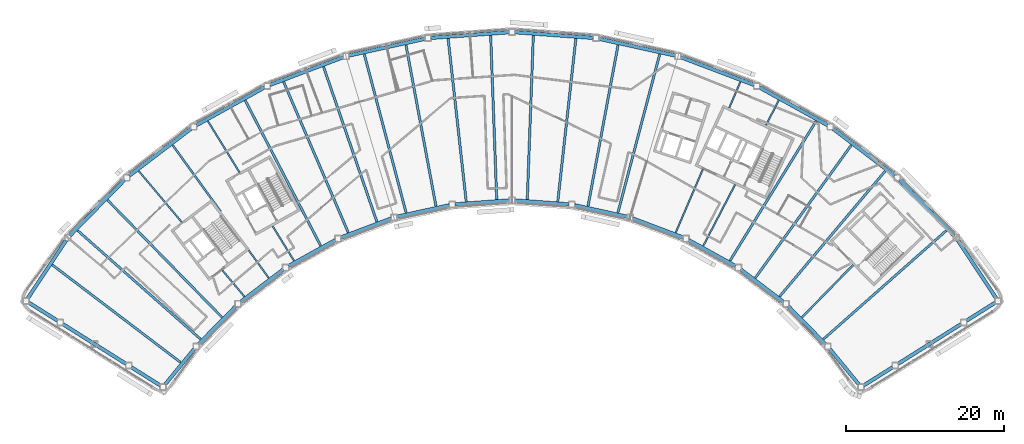
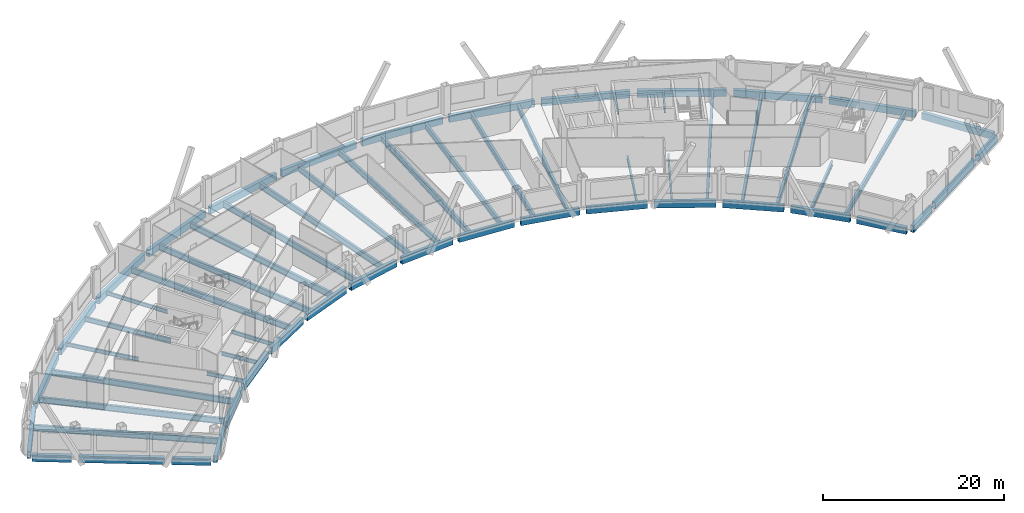
# One storey, part 3 of 12: 63 beams.
"""IFC4 building model written with IfcOpenShell, lengths in metres."""

from ifc_helpers import new_model, si_unit, direction, frame, origin, origin_2d, place, context, subcontext, project, spatial, hollow_rectangle, i_section, extrude, material, material_profile, profile_set, type_object, element, save


model = new_model("IFC4")

# Units and contexts
model_context = context("Model", 3, precision=1e-05, world=origin(), true_north=direction((0.0, 1.0)))
body_context = subcontext(model_context, "Body", "Model", "MODEL_VIEW")
ifc_project = project(units=[si_unit("LENGTHUNIT", "METRE"), si_unit("AREAUNIT", "SQUARE_METRE"), si_unit("VOLUMEUNIT", "CUBIC_METRE"), si_unit("PLANEANGLEUNIT", "RADIAN"), si_unit("MASSUNIT", "GRAM", prefix="KILO")], contexts=[model_context])

# Site, building, storey
site_placement = place(None, origin())
site = spatial("IfcSite", under=ifc_project, at=site_placement, CompositionType="ELEMENT")
building_placement = place(site_placement, origin())
building = spatial("IfcBuilding", under=site, at=building_placement, Name="Tuul Gate Civic Tower", CompositionType="ELEMENT")
storey_placement = place(building_placement, frame((0.0, 0.0, 328.10009765625)))
storey = spatial("IfcBuildingStorey", under=building, at=storey_placement, Name="Level 74", CompositionType="ELEMENT", Elevation=328.10009765625)

# Beams
ifc_material_1 = material(Name="Steel S355", Category="steel")
ifc_material_profile_1 = material_profile(ifc_material_1, i_section(OverallWidth=0.199951171875, OverallDepth=0.5, WebThickness=0.010009765625, FlangeThickness=0.01611328125, at=origin_2d()), Name="PG500x200x10x16")
ifc_profile_set_1 = profile_set([ifc_material_profile_1], Name="Steel S355")
beam_type_1 = type_object("IfcBeamType", Name="STR-FLOOR BEAM-PG500x200x10x16", PredefinedType="BEAM", material=ifc_profile_set_1)
beam_1_placement = place(storey_placement, frame((26.463134765625, -13.32080078125, -0.550048828125), z_axis=(0.460782795667, 0.887512938056, 0.0), x_axis=(-0.887512938056, 0.460782795667, 0.0)))
element("IfcBeam", 1, at=beam_1_placement, inside=storey, type_object=beam_type_1, Name="Floor beam", PredefinedType="BEAM", context=body_context, shape_type="SweptSolid", body=[
    extrude(i_section(OverallWidth=0.199951171875, OverallDepth=0.5, WebThickness=0.010009765625, FlangeThickness=0.01611328125, at=origin_2d()), origin(), (0.0, 0.0, 1.0), 8.768310546875),
])
beam_2_placement = place(storey_placement, frame((34.423583984375, 2.01220703125, -0.550048828125), z_axis=(0.460793282306, 0.887507493479, 0.0), x_axis=(-0.887507493479, 0.460793282306, 0.0)))
element("IfcBeam", 2, at=beam_2_placement, inside=storey, type_object=beam_type_1, Name="Floor beam", PredefinedType="BEAM", context=body_context, shape_type="SweptSolid", body=[
    extrude(i_section(OverallWidth=0.199951171875, OverallDepth=0.5, WebThickness=0.010009765625, FlangeThickness=0.01611328125, at=origin_2d()), origin(), (0.0, 0.0, 1.0), 3.53173828125),
])
beam_3_placement = place(storey_placement, frame((22.968505859375, -11.633056640625, -0.550048828125), z_axis=(0.394179708817, 0.91903338196, 0.0), x_axis=(-0.91903338196, 0.394179708817, 0.0)))
element("IfcBeam", 3, at=beam_3_placement, inside=storey, type_object=beam_type_1, Name="Floor beam", PredefinedType="BEAM", context=body_context, shape_type="SweptSolid", body=[
    extrude(i_section(OverallWidth=0.199951171875, OverallDepth=0.5, WebThickness=0.010009765625, FlangeThickness=0.01611328125, at=origin_2d()), origin(), (0.0, 0.0, 1.0), 8.7119140625),
])
beam_4_placement = place(storey_placement, frame((29.7548828125, 4.189208984375, -0.550048828125), z_axis=(0.394262656624, 0.918997800646, 0.0), x_axis=(-0.918997800646, 0.394262656624, 0.0)))
element("IfcBeam", 4, at=beam_4_placement, inside=storey, type_object=beam_type_1, Name="Floor beam", PredefinedType="BEAM", context=body_context, shape_type="SweptSolid", body=[
    extrude(i_section(OverallWidth=0.199951171875, OverallDepth=0.5, WebThickness=0.010009765625, FlangeThickness=0.01611328125, at=origin_2d()), origin(), (0.0, 0.0, 1.0), 3.60400390625),
])
beam_5_placement = place(storey_placement, frame((-25.47412109375, -15.2021484375, -0.550048828125), z_axis=(-0.524854989159, 0.851191659002, 0.0), x_axis=(-0.851191659002, -0.524854989159, 0.0)))
element("IfcBeam", 5, at=beam_5_placement, inside=storey, type_object=beam_type_1, Name="Floor beam", PredefinedType="BEAM", context=body_context, shape_type="SweptSolid", body=[
    extrude(i_section(OverallWidth=0.199951171875, OverallDepth=0.5, WebThickness=0.010009765625, FlangeThickness=0.01611328125, at=origin_2d()), origin(), (0.0, 0.0, 1.0), 5.1591796875),
])
beam_6_placement = place(storey_placement, frame((-32.385009765625, -3.993896484375, -0.550048828125), z_axis=(-0.524857120658, 0.851190344691, 0.0), x_axis=(-0.851190344691, -0.524857120658, 0.0)))
element("IfcBeam", 6, at=beam_6_placement, inside=storey, type_object=beam_type_1, Name="Floor beam", PredefinedType="BEAM", context=body_context, shape_type="SweptSolid", body=[
    extrude(i_section(OverallWidth=0.199951171875, OverallDepth=0.5, WebThickness=0.010009765625, FlangeThickness=0.01611328125, at=origin_2d()), origin(), (0.0, 0.0, 1.0), 7.654052734375),
])
beam_7_placement = place(storey_placement, frame((-28.677734375, -17.393310546875, -0.550048828125), z_axis=(-0.586074177431, 0.81025740265, 0.0), x_axis=(-0.81025740265, -0.586074177431, 0.0)))
element("IfcBeam", 7, at=beam_7_placement, inside=storey, type_object=beam_type_1, Name="Floor beam", PredefinedType="BEAM", context=body_context, shape_type="SweptSolid", body=[
    extrude(i_section(OverallWidth=0.199951171875, OverallDepth=0.5, WebThickness=0.010009765625, FlangeThickness=0.01611328125, at=origin_2d()), origin(), (0.0, 0.0, 1.0), 4.33642578125),
])
beam_8_placement = place(storey_placement, frame((-31.765869140625, -19.74462890625, -0.550048828125), z_axis=(-0.64417038831, 0.764882024122, 0.0), x_axis=(-0.764882024122, -0.64417038831, 0.0)))
element("IfcBeam", 8, at=beam_8_placement, inside=storey, type_object=beam_type_1, Name="Floor beam", PredefinedType="BEAM", context=body_context, shape_type="SweptSolid", body=[
    extrude(i_section(OverallWidth=0.199951171875, OverallDepth=0.5, WebThickness=0.010009765625, FlangeThickness=0.01611328125, at=origin_2d()), origin(), (0.0, 0.0, 1.0), 4.34033203125),
])
beam_9_placement = place(storey_placement, frame((-39.720703125, -10.298095703125, -0.550048828125), z_axis=(-0.644145503575, 0.764902980923, 0.0), x_axis=(-0.764902980923, -0.644145503575, 0.0)))
element("IfcBeam", 9, at=beam_9_placement, inside=storey, type_object=beam_type_1, Name="Floor beam", PredefinedType="BEAM", context=body_context, shape_type="SweptSolid", body=[
    extrude(i_section(OverallWidth=0.199951171875, OverallDepth=0.5, WebThickness=0.010009765625, FlangeThickness=0.01611328125, at=origin_2d()), origin(), (0.0, 0.0, 1.0), 8.47509765625),
])
ifc_material_2 = material(Name="Steel S355", Category="steel")
ifc_material_profile_2 = material_profile(ifc_material_2, i_section(OverallWidth=0.25, OverallDepth=0.64990234375, WebThickness=0.011962890625, FlangeThickness=0.02001953125, at=origin_2d()), Name="PG650x250x12x20")
ifc_profile_set_2 = profile_set([ifc_material_profile_2], Name="Steel S355")
beam_type_2 = type_object("IfcBeamType", Name="STR-FLOOR BEAM-PG650x250x12x20", PredefinedType="BEAM", material=ifc_profile_set_2)
beam_10_placement = place(storey_placement, frame((38.990234375, -22.390380859375, -0.625), z_axis=(0.698674470128, 0.715439714296, 0.0), x_axis=(-0.715439714296, 0.698674470128, 0.0)))
element("IfcBeam", 10, at=beam_10_placement, inside=storey, type_object=beam_type_2, Name="Floor beam", PredefinedType="BEAM", context=body_context, shape_type="SweptSolid", body=[
    extrude(i_section(OverallWidth=0.25, OverallDepth=0.64990234375, WebThickness=0.011962890625, FlangeThickness=0.02001953125, at=origin_2d()), origin(), (0.0, 0.0, 1.0), 9.290771484375),
])
beam_11_placement = place(storey_placement, frame((-34.799560546875, -8.9296875, -0.625), z_axis=(-0.586091808988, 0.810244649126, 0.0), x_axis=(-0.810244649126, -0.586091808988, 0.0)))
element("IfcBeam", 11, at=beam_11_placement, inside=storey, type_object=beam_type_2, Name="Floor beam", PredefinedType="BEAM", context=body_context, shape_type="SweptSolid", body=[
    extrude(i_section(OverallWidth=0.25, OverallDepth=0.64990234375, WebThickness=0.011962890625, FlangeThickness=0.02001953125, at=origin_2d()), origin(), (0.0, 0.0, 1.0), 10.360107421875),
])
ifc_material_3 = material(Name="Steel S355", Category="steel")
ifc_material_profile_3 = material_profile(ifc_material_3, i_section(OverallWidth=0.300048828125, OverallDepth=0.800048828125, WebThickness=0.013916015625, FlangeThickness=0.02490234375, at=origin_2d()), Name="PG800x300x14x25")
ifc_profile_set_3 = profile_set([ifc_material_profile_3], Name="Steel S355")
beam_type_3 = type_object("IfcBeamType", Name="STR-FLOOR BEAM-PG800x300x14x25", PredefinedType="BEAM", material=ifc_profile_set_3)
beam_12_placement = place(storey_placement, frame((41.707275390625, -25.16259765625, -0.7001953125), z_axis=(0.749453243269, 0.662057275584, 0.0), x_axis=(-0.662057275584, 0.749453243269, 0.0)))
element("IfcBeam", 12, at=beam_12_placement, inside=storey, type_object=beam_type_3, Name="Floor beam", PredefinedType="BEAM", context=body_context, shape_type="SweptSolid", body=[
    extrude(i_section(OverallWidth=0.300048828125, OverallDepth=0.800048828125, WebThickness=0.013916015625, FlangeThickness=0.02490234375, at=origin_2d()), origin(), (0.0, 0.0, 1.0), 20.828369140625),
])
beam_13_placement = place(storey_placement, frame((36.14990234375, -19.74462890625, -0.7001953125), z_axis=(0.644135745783, 0.764911198117, 0.0), x_axis=(-0.764911198117, 0.644135745783, 0.0)))
element("IfcBeam", 13, at=beam_13_placement, inside=storey, type_object=beam_type_3, Name="Floor beam", PredefinedType="BEAM", context=body_context, shape_type="SweptSolid", body=[
    extrude(i_section(OverallWidth=0.300048828125, OverallDepth=0.800048828125, WebThickness=0.013916015625, FlangeThickness=0.02490234375, at=origin_2d()), origin(), (0.0, 0.0, 1.0), 20.824951171875),
])
beam_14_placement = place(storey_placement, frame((33.061767578125, -17.393310546875, -0.7001953125), z_axis=(0.586073074744, 0.810258200242, 0.0), x_axis=(-0.810258200242, 0.586073074744, 0.0)))
element("IfcBeam", 14, at=beam_14_placement, inside=storey, type_object=beam_type_3, Name="Floor beam", PredefinedType="BEAM", context=body_context, shape_type="SweptSolid", body=[
    extrude(i_section(OverallWidth=0.300048828125, OverallDepth=0.800048828125, WebThickness=0.013916015625, FlangeThickness=0.02490234375, at=origin_2d()), origin(), (0.0, 0.0, 1.0), 20.8056640625),
])
beam_15_placement = place(storey_placement, frame((29.858154296875, -15.2021484375, -0.7001953125), z_axis=(0.524846935925, 0.85119662467, 0.0), x_axis=(-0.85119662467, 0.524846935925, 0.0)))
element("IfcBeam", 15, at=beam_15_placement, inside=storey, type_object=beam_type_3, Name="Floor beam", PredefinedType="BEAM", context=body_context, shape_type="SweptSolid", body=[
    extrude(i_section(OverallWidth=0.300048828125, OverallDepth=0.800048828125, WebThickness=0.013916015625, FlangeThickness=0.02490234375, at=origin_2d()), origin(), (0.0, 0.0, 1.0), 20.82177734375),
])
beam_16_placement = place(storey_placement, frame((15.630615234375, -9.11328125, -0.7001953125), z_axis=(0.255002430405, 0.966940412067, 0.0), x_axis=(-0.966940412067, 0.255002430405, 0.0)))
element("IfcBeam", 16, at=beam_16_placement, inside=storey, type_object=beam_type_3, Name="Floor beam", PredefinedType="BEAM", context=body_context, shape_type="SweptSolid", body=[
    extrude(i_section(OverallWidth=0.300048828125, OverallDepth=0.800048828125, WebThickness=0.013916015625, FlangeThickness=0.02490234375, at=origin_2d()), origin(), (0.0, 0.0, 1.0), 20.81689453125),
])
beam_17_placement = place(storey_placement, frame((11.84033203125, -8.2783203125, -0.7001953125), z_axis=(0.183149454547, 0.983085081414, 0.0), x_axis=(-0.983085081414, 0.183149454547, 0.0)))
element("IfcBeam", 17, at=beam_17_placement, inside=storey, type_object=beam_type_3, Name="Floor beam", PredefinedType="BEAM", context=body_context, shape_type="SweptSolid", body=[
    extrude(i_section(OverallWidth=0.300048828125, OverallDepth=0.800048828125, WebThickness=0.013916015625, FlangeThickness=0.02490234375, at=origin_2d()), origin(), (0.0, 0.0, 1.0), 20.81103515625),
])
beam_18_placement = place(storey_placement, frame((8.003173828125, -7.69873046875, -0.7001953125), z_axis=(0.110286058964, 0.993899886909, 0.0), x_axis=(-0.993899886909, 0.110286058964, 0.0)))
element("IfcBeam", 18, at=beam_18_placement, inside=storey, type_object=beam_type_3, Name="Floor beam", PredefinedType="BEAM", context=body_context, shape_type="SweptSolid", body=[
    extrude(i_section(OverallWidth=0.300048828125, OverallDepth=0.800048828125, WebThickness=0.013916015625, FlangeThickness=0.02490234375, at=origin_2d()), origin(), (0.0, 0.0, 1.0), 20.8154296875),
])
for number, where, z_axis, x_axis, name in (
    (19, (4.13232421875, -7.41796875, -0.7001953125), (0.036832478792, 0.999321454041, 0.0), (-0.999321454041, 0.036832478792, 0.0), "Floor beam"),
    (20, (0.251708984375, -7.41796875, -0.7001953125), (-0.036832478792, 0.999321454041, 0.0), (-0.999321454041, -0.036832478792, 0.0), "Floor beam"),
):
    element("IfcBeam", number, at=place(storey_placement, frame(where, z_axis=z_axis, x_axis=x_axis)), inside=storey, type_object=beam_type_3, Name=name, PredefinedType="BEAM", context=body_context, shape_type="SweptSolid", body=[
        extrude(i_section(OverallWidth=0.300048828125, OverallDepth=0.800048828125, WebThickness=0.013916015625, FlangeThickness=0.02490234375, at=origin_2d()), origin(), (0.0, 0.0, 1.0), 20.813232421875),
    ])
beam_19_placement = place(storey_placement, frame((-3.619140625, -7.69873046875, -0.7001953125), z_axis=(-0.110286058964, 0.993899886909, 0.0), x_axis=(-0.993899886909, -0.110286058964, 0.0)))
element("IfcBeam", 21, at=beam_19_placement, inside=storey, type_object=beam_type_3, Name="Floor beam", PredefinedType="BEAM", context=body_context, shape_type="SweptSolid", body=[
    extrude(i_section(OverallWidth=0.300048828125, OverallDepth=0.800048828125, WebThickness=0.013916015625, FlangeThickness=0.02490234375, at=origin_2d()), origin(), (0.0, 0.0, 1.0), 20.8154296875),
])
beam_20_placement = place(storey_placement, frame((-7.45654296875, -8.2783203125, -0.7001953125), z_axis=(-0.183138116697, 0.983087193596, 0.0), x_axis=(-0.983087193596, -0.183138116697, 0.0)))
element("IfcBeam", 22, at=beam_20_placement, inside=storey, type_object=beam_type_3, Name="Floor beam", PredefinedType="BEAM", context=body_context, shape_type="SweptSolid", body=[
    extrude(i_section(OverallWidth=0.300048828125, OverallDepth=0.800048828125, WebThickness=0.013916015625, FlangeThickness=0.02490234375, at=origin_2d()), origin(), (0.0, 0.0, 1.0), 20.81103515625),
])
beam_21_placement = place(storey_placement, frame((-11.24658203125, -9.11328125, -0.7001953125), z_axis=(-0.255002430405, 0.966940412067, 0.0), x_axis=(-0.966940412067, -0.255002430405, 0.0)))
element("IfcBeam", 23, at=beam_21_placement, inside=storey, type_object=beam_type_3, Name="Floor beam", PredefinedType="BEAM", context=body_context, shape_type="SweptSolid", body=[
    extrude(i_section(OverallWidth=0.300048828125, OverallDepth=0.800048828125, WebThickness=0.013916015625, FlangeThickness=0.02490234375, at=origin_2d()), origin(), (0.0, 0.0, 1.0), 20.81689453125),
])
beam_22_placement = place(storey_placement, frame((-14.954345703125, -10.259765625, -0.7001953125), z_axis=(-0.325483706592, 0.945547649113, 0.0), x_axis=(-0.945547649113, -0.325483706592, 0.0)))
element("IfcBeam", 24, at=beam_22_placement, inside=storey, type_object=beam_type_3, Name="Floor beam", PredefinedType="BEAM", context=body_context, shape_type="SweptSolid", body=[
    extrude(i_section(OverallWidth=0.300048828125, OverallDepth=0.800048828125, WebThickness=0.013916015625, FlangeThickness=0.02490234375, at=origin_2d()), origin(), (0.0, 0.0, 1.0), 20.808837890625),
])
beam_23_placement = place(storey_placement, frame((-18.58447265625, -11.633056640625, -0.7001953125), z_axis=(-0.39419807985, 0.919025502281, 0.0), x_axis=(-0.919025502281, -0.39419807985, 0.0)))
element("IfcBeam", 25, at=beam_23_placement, inside=storey, type_object=beam_type_3, Name="Floor beam", PredefinedType="BEAM", context=body_context, shape_type="SweptSolid", body=[
    extrude(i_section(OverallWidth=0.300048828125, OverallDepth=0.800048828125, WebThickness=0.013916015625, FlangeThickness=0.02490234375, at=origin_2d()), origin(), (0.0, 0.0, 1.0), 20.820068359375),
])
beam_24_placement = place(storey_placement, frame((-22.079345703125, -13.32080078125, -0.7001953125), z_axis=(-0.46076746296, 0.887520898389, 0.0), x_axis=(-0.887520898389, -0.46076746296, 0.0)))
element("IfcBeam", 26, at=beam_24_placement, inside=storey, type_object=beam_type_3, Name="Floor beam", PredefinedType="BEAM", context=body_context, shape_type="SweptSolid", body=[
    extrude(i_section(OverallWidth=0.300048828125, OverallDepth=0.800048828125, WebThickness=0.013916015625, FlangeThickness=0.02490234375, at=origin_2d()), origin(), (0.0, 0.0, 1.0), 20.80810546875),
])
beam_25_placement = place(storey_placement, frame((-34.606201171875, -22.390380859375, -0.7001953125), z_axis=(-0.698678629993, 0.715435651888, 0.0), x_axis=(-0.715435651888, -0.698678629993, 0.0)))
element("IfcBeam", 27, at=beam_25_placement, inside=storey, type_object=beam_type_3, Name="Floor beam", PredefinedType="BEAM", context=body_context, shape_type="SweptSolid", body=[
    extrude(i_section(OverallWidth=0.300048828125, OverallDepth=0.800048828125, WebThickness=0.013916015625, FlangeThickness=0.02490234375, at=origin_2d()), origin(), (0.0, 0.0, 1.0), 20.80517578125),
])
beam_26_placement = place(storey_placement, frame((-37.3232421875, -25.16259765625, -0.7001953125), z_axis=(-0.749453243269, 0.662057275584, 0.0), x_axis=(-0.662057275584, -0.749453243269, 0.0)))
element("IfcBeam", 28, at=beam_26_placement, inside=storey, type_object=beam_type_3, Name="Floor beam", PredefinedType="BEAM", context=body_context, shape_type="SweptSolid", body=[
    extrude(i_section(OverallWidth=0.300048828125, OverallDepth=0.800048828125, WebThickness=0.013916015625, FlangeThickness=0.02490234375, at=origin_2d()), origin(), (0.0, 0.0, 1.0), 20.828369140625),
])
beam_27_placement = place(storey_placement, frame((-39.8623046875, -28.107421875, -0.7001953125), z_axis=(-0.796145180606, 0.605105653087, 0.0), x_axis=(-0.605105653087, -0.796145180606, 0.0)))
element("IfcBeam", 29, at=beam_27_placement, inside=storey, type_object=beam_type_3, Name="Floor beam", PredefinedType="BEAM", context=body_context, shape_type="SweptSolid", body=[
    extrude(i_section(OverallWidth=0.300048828125, OverallDepth=0.800048828125, WebThickness=0.013916015625, FlangeThickness=0.02490234375, at=origin_2d()), origin(), (0.0, 0.0, 1.0), 20.462646484375),
])
ifc_material_4 = material(Name="Steel S355", Category="steel")
ifc_material_profile_4 = material_profile(ifc_material_4, hollow_rectangle(XDim=0.449951171875, YDim=0.89990234375, WallThickness=0.02490234375, at=origin_2d()), Name="BOX900x450x25")
ifc_profile_set_4 = profile_set([ifc_material_profile_4], Name="Steel S355")
beam_type_4 = type_object("IfcBeamType", Name="STR-SPANDREL BEAM-BOX900x450x25", PredefinedType="BEAM", material=ifc_profile_set_4)
beam_28_placement = place(storey_placement, frame((63.642333984375, -19.96630859375, -0.75), z_axis=(-0.551644580762, 0.834079286708, 0.0), x_axis=(-0.834079286708, -0.551644580762, 0.0)))
element("IfcBeam", 30, at=beam_28_placement, inside=storey, type_object=beam_type_4, Name="Spandrel beam", PredefinedType="BEAM", context=body_context, shape_type="SweptSolid", body=[
    extrude(hollow_rectangle(XDim=0.449951171875, YDim=0.89990234375, WallThickness=0.02490234375, at=origin_2d()), origin(), (0.0, 0.0, 1.0), 8.805908203125),
])
beam_29_placement = place(storey_placement, frame((58.283935546875, -12.00244140625, -0.75), z_axis=(-0.699989605726, 0.714153031132, 0.0), x_axis=(-0.714153031132, -0.699989605726, 0.0)))
element("IfcBeam", 31, at=beam_29_placement, inside=storey, type_object=beam_type_4, Name="Spandrel beam", PredefinedType="BEAM", context=body_context, shape_type="SweptSolid", body=[
    extrude(hollow_rectangle(XDim=0.449951171875, YDim=0.89990234375, WallThickness=0.02490234375, at=origin_2d()), origin(), (0.0, 0.0, 1.0), 9.876953125),
])
beam_30_placement = place(storey_placement, frame((50.771728515625, -4.420654296875, -0.75), z_axis=(-0.795660881085, 0.605742323361, 0.0), x_axis=(-0.605742323361, -0.795660881085, 0.0)))
element("IfcBeam", 32, at=beam_30_placement, inside=storey, type_object=beam_type_4, Name="Spandrel beam", PredefinedType="BEAM", context=body_context, shape_type="SweptSolid", body=[
    extrude(hollow_rectangle(XDim=0.449951171875, YDim=0.89990234375, WallThickness=0.02490234375, at=origin_2d()), origin(), (0.0, 0.0, 1.0), 9.877685546875),
])
beam_31_placement = place(storey_placement, frame((42.244140625, 1.9990234375, -0.75), z_axis=(-0.874589490657, 0.484864128218, 0.0), x_axis=(-0.484864128218, -0.874589490657, 0.0)))
element("IfcBeam", 33, at=beam_31_placement, inside=storey, type_object=beam_type_4, Name="Spandrel beam", PredefinedType="BEAM", context=body_context, shape_type="SweptSolid", body=[
    extrude(hollow_rectangle(XDim=0.449951171875, YDim=0.89990234375, WallThickness=0.02490234375, at=origin_2d()), origin(), (0.0, 0.0, 1.0), 9.877197265625),
])
beam_32_placement = place(storey_placement, frame((32.8818359375, 7.12353515625, -0.75), z_axis=(-0.935381084373, 0.353641381907, 0.0), x_axis=(-0.353641381907, -0.935381084373, 0.0)))
element("IfcBeam", 34, at=beam_32_placement, inside=storey, type_object=beam_type_4, Name="Spandrel beam", PredefinedType="BEAM", context=body_context, shape_type="SweptSolid", body=[
    extrude(hollow_rectangle(XDim=0.449951171875, YDim=0.89990234375, WallThickness=0.02490234375, at=origin_2d()), origin(), (0.0, 0.0, 1.0), 9.876953125),
])
beam_33_placement = place(storey_placement, frame((22.87841796875, 10.843994140625, -0.75), z_axis=(-0.976565880984, 0.215218679716, 0.0), x_axis=(-0.215218679716, -0.976565880984, 0.0)))
element("IfcBeam", 35, at=beam_33_placement, inside=storey, type_object=beam_type_4, Name="Spandrel beam", PredefinedType="BEAM", context=body_context, shape_type="SweptSolid", body=[
    extrude(hollow_rectangle(XDim=0.449951171875, YDim=0.89990234375, WallThickness=0.02490234375, at=origin_2d()), origin(), (0.0, 0.0, 1.0), 9.878173828125),
])
for number, where, z_axis, x_axis, name in (
    (36, (12.442138671875, 13.0849609375, -0.75), (-0.99738285886, 0.07230098791, 0.0), (-0.07230098791, -0.99738285886, 0.0), "Spandrel beam"),
    (37, (1.79296875, 13.799072265625, -0.75), (-0.99738285886, -0.07230098791, 0.0), (0.07230098791, -0.99738285886, 0.0), "Spandrel beam"),
):
    element("IfcBeam", number, at=place(storey_placement, frame(where, z_axis=z_axis, x_axis=x_axis)), inside=storey, type_object=beam_type_4, Name=name, PredefinedType="BEAM", context=body_context, shape_type="SweptSolid", body=[
        extrude(hollow_rectangle(XDim=0.449951171875, YDim=0.89990234375, WallThickness=0.02490234375, at=origin_2d()), origin(), (0.0, 0.0, 1.0), 9.876953125),
    ])
beam_34_placement = place(storey_placement, frame((-8.84765625, 12.969970703125, -0.75), z_axis=(-0.976565880984, -0.215218679716, 0.0), x_axis=(0.215218679716, -0.976565880984, 0.0)))
element("IfcBeam", 38, at=beam_34_placement, inside=storey, type_object=beam_type_4, Name="Spandrel beam", PredefinedType="BEAM", context=body_context, shape_type="SweptSolid", body=[
    extrude(hollow_rectangle(XDim=0.449951171875, YDim=0.89990234375, WallThickness=0.02490234375, at=origin_2d()), origin(), (0.0, 0.0, 1.0), 9.878173828125),
])
for number, where, z_axis, x_axis, name in (
    (39, (-19.259033203125, 10.616455078125, -0.75), (-0.935381084373, -0.353641381907, 0.0), (0.353641381907, -0.935381084373, 0.0), "Spandrel beam"),
    (40, (-29.221923828125, 6.7880859375, -0.75), (-0.874583679484, -0.484874610162, 0.0), (0.484874610162, -0.874583679484, 0.0), "Spandrel beam"),
):
    element("IfcBeam", number, at=place(storey_placement, frame(where, z_axis=z_axis, x_axis=x_axis)), inside=storey, type_object=beam_type_4, Name=name, PredefinedType="BEAM", context=body_context, shape_type="SweptSolid", body=[
        extrude(hollow_rectangle(XDim=0.449951171875, YDim=0.89990234375, WallThickness=0.02490234375, at=origin_2d()), origin(), (0.0, 0.0, 1.0), 9.876953125),
    ])
beam_35_placement = place(storey_placement, frame((-38.5283203125, 1.562744140625, -0.75), z_axis=(-0.795660881085, -0.605742323361, 0.0), x_axis=(0.605742323361, -0.795660881085, 0.0)))
element("IfcBeam", 41, at=beam_35_placement, inside=storey, type_object=beam_type_4, Name="Spandrel beam", PredefinedType="BEAM", context=body_context, shape_type="SweptSolid", body=[
    extrude(hollow_rectangle(XDim=0.449951171875, YDim=0.89990234375, WallThickness=0.02490234375, at=origin_2d()), origin(), (0.0, 0.0, 1.0), 9.877685546875),
])
beam_36_placement = place(storey_placement, frame((-46.986083984375, -4.94873046875, -0.75), z_axis=(-0.699989605726, -0.714153031132, 0.0), x_axis=(0.714153031132, -0.699989605726, 0.0)))
element("IfcBeam", 42, at=beam_36_placement, inside=storey, type_object=beam_type_4, Name="Spandrel beam", PredefinedType="BEAM", context=body_context, shape_type="SweptSolid", body=[
    extrude(hollow_rectangle(XDim=0.449951171875, YDim=0.89990234375, WallThickness=0.02490234375, at=origin_2d()), origin(), (0.0, 0.0, 1.0), 9.876953125),
])
beam_37_placement = place(storey_placement, frame((-54.400634765625, -12.62158203125, -0.75), z_axis=(-0.551644580762, -0.834079286708, 0.0), x_axis=(0.834079286708, -0.551644580762, 0.0)))
element("IfcBeam", 43, at=beam_37_placement, inside=storey, type_object=beam_type_4, Name="Spandrel beam", PredefinedType="BEAM", context=body_context, shape_type="SweptSolid", body=[
    extrude(hollow_rectangle(XDim=0.449951171875, YDim=0.89990234375, WallThickness=0.02490234375, at=origin_2d()), origin(), (0.0, 0.0, 1.0), 8.805908203125),
])
beam_38_placement = place(storey_placement, frame((-59.140625, -20.51318359375, -0.75), z_axis=(0.846211196037, -0.532847643985, 0.0), x_axis=(0.532847643985, 0.846211196037, 0.0)))
element("IfcBeam", 44, at=beam_38_placement, inside=storey, type_object=beam_type_4, Name="Spandrel beam", PredefinedType="BEAM", context=body_context, shape_type="SweptSolid", body=[
    extrude(hollow_rectangle(XDim=0.449951171875, YDim=0.89990234375, WallThickness=0.02490234375, at=origin_2d()), origin(), (0.0, 0.0, 1.0), 4.33251953125),
])
beam_39_placement = place(storey_placement, frame((-54.797607421875, -23.248046875, -0.75), z_axis=(0.84620354352, -0.532859796695, 0.0), x_axis=(0.532859796695, 0.84620354352, 0.0)))
element("IfcBeam", 45, at=beam_39_placement, inside=storey, type_object=beam_type_4, Name="Spandrel beam", PredefinedType="BEAM", context=body_context, shape_type="SweptSolid", body=[
    extrude(hollow_rectangle(XDim=0.449951171875, YDim=0.89990234375, WallThickness=0.02490234375, at=origin_2d()), origin(), (0.0, 0.0, 1.0), 9.463623046875),
])
beam_40_placement = place(storey_placement, frame((-46.112548828125, -28.71728515625, -0.75), z_axis=(0.84613117079, -0.532974710298, 0.0), x_axis=(0.532974710298, 0.84613117079, 0.0)))
element("IfcBeam", 46, at=beam_40_placement, inside=storey, type_object=beam_type_4, Name="Spandrel beam", PredefinedType="BEAM", context=body_context, shape_type="SweptSolid", body=[
    extrude(hollow_rectangle(XDim=0.449951171875, YDim=0.89990234375, WallThickness=0.02490234375, at=origin_2d()), origin(), (0.0, 0.0, 1.0), 4.33154296875),
])
beam_41_placement = place(storey_placement, frame((-41.855224609375, -30.9296875, -0.75), z_axis=(0.634404835744, 0.773000973081, 0.0), x_axis=(-0.773000973081, 0.634404835744, 0.0)))
element("IfcBeam", 47, at=beam_41_placement, inside=storey, type_object=beam_type_4, Name="Spandrel beam", PredefinedType="BEAM", context=body_context, shape_type="SweptSolid", body=[
    extrude(hollow_rectangle(XDim=0.449951171875, YDim=0.89990234375, WallThickness=0.02490234375, at=origin_2d()), origin(), (0.0, 0.0, 1.0), 5.851806640625),
])
beam_42_placement = place(storey_placement, frame((-37.609130859375, -25.811279296875, -0.75), z_axis=(0.699971853877, 0.714170430485, 0.0), x_axis=(-0.714170430485, 0.699971853877, 0.0)))
element("IfcBeam", 48, at=beam_42_placement, inside=storey, type_object=beam_type_4, Name="Spandrel beam", PredefinedType="BEAM", context=body_context, shape_type="SweptSolid", body=[
    extrude(hollow_rectangle(XDim=0.449951171875, YDim=0.89990234375, WallThickness=0.02490234375, at=origin_2d()), origin(), (0.0, 0.0, 1.0), 6.7919921875),
])
for number, where, z_axis, x_axis, name in (
    (49, (-32.2568359375, -20.4326171875, -0.75), (0.795626424775, 0.605787580098, 0.0), (-0.605787580098, 0.795626424775, 0.0), "Spandrel beam"),
    (50, (-26.18505859375, -15.882080078125, -0.75), (0.87464856826, 0.484757549751, 0.0), (-0.484757549751, 0.87464856826, 0.0), "Spandrel beam"),
):
    element("IfcBeam", number, at=place(storey_placement, frame(where, z_axis=z_axis, x_axis=x_axis)), inside=storey, type_object=beam_type_4, Name=name, PredefinedType="BEAM", context=body_context, shape_type="SweptSolid", body=[
        extrude(hollow_rectangle(XDim=0.449951171875, YDim=0.89990234375, WallThickness=0.02490234375, at=origin_2d()), origin(), (0.0, 0.0, 1.0), 6.79150390625),
    ])
beam_43_placement = place(storey_placement, frame((-19.520751953125, -12.25439453125, -0.75), z_axis=(0.935326768609, 0.353785013707, 0.0), x_axis=(-0.353785013707, 0.935326768609, 0.0)))
element("IfcBeam", 51, at=beam_43_placement, inside=storey, type_object=beam_type_4, Name="Spandrel beam", PredefinedType="BEAM", context=body_context, shape_type="SweptSolid", body=[
    extrude(hollow_rectangle(XDim=0.449951171875, YDim=0.89990234375, WallThickness=0.02490234375, at=origin_2d()), origin(), (0.0, 0.0, 1.0), 6.791748046875),
])
beam_44_placement = place(storey_placement, frame((-12.4033203125, -9.6240234375, -0.75), z_axis=(0.976589670026, 0.215110707308, 0.0), x_axis=(-0.215110707308, 0.976589670026, 0.0)))
element("IfcBeam", 52, at=beam_44_placement, inside=storey, type_object=beam_type_4, Name="Spandrel beam", PredefinedType="BEAM", context=body_context, shape_type="SweptSolid", body=[
    extrude(hollow_rectangle(XDim=0.449951171875, YDim=0.89990234375, WallThickness=0.02490234375, at=origin_2d()), origin(), (0.0, 0.0, 1.0), 6.79150390625),
])
for number, where, z_axis, x_axis, name in (
    (53, (-4.98095703125, -8.048095703125, -0.75), (0.997381114382, 0.072325048733, 0.0), (-0.072325048733, 0.997381114382, 0.0), "Spandrel beam"),
    (54, (2.591064453125, -7.556884765625, -0.75), (0.997381114382, -0.072325048733, 0.0), (0.072325048733, 0.997381114382, 0.0), "Spandrel beam"),
    (55, (10.154541015625, -8.1630859375, -0.75), (0.97659133333, -0.215103155869, 0.0), (0.215103155869, 0.97659133333, 0.0), "Spandrel beam"),
    (56, (17.55224609375, -9.8515625, -0.75), (0.935326768609, -0.353785013707, 0.0), (0.353785013707, 0.935326768609, 0.0), "Spandrel beam"),
):
    element("IfcBeam", number, at=place(storey_placement, frame(where, z_axis=z_axis, x_axis=x_axis)), inside=storey, type_object=beam_type_4, Name=name, PredefinedType="BEAM", context=body_context, shape_type="SweptSolid", body=[
        extrude(hollow_rectangle(XDim=0.449951171875, YDim=0.89990234375, WallThickness=0.02490234375, at=origin_2d()), origin(), (0.0, 0.0, 1.0), 6.791748046875),
    ])
for number, where, z_axis, x_axis, name in (
    (57, (24.62890625, -12.58984375, -0.75), (0.87464856826, -0.484757549751, 0.0), (0.484757549751, 0.87464856826, 0.0), "Spandrel beam"),
    (58, (31.2373046875, -16.318359375, -0.75), (0.795626424775, -0.605787580098, 0.0), (0.605787580098, 0.795626424775, 0.0), "Spandrel beam"),
):
    element("IfcBeam", number, at=place(storey_placement, frame(where, z_axis=z_axis, x_axis=x_axis)), inside=storey, type_object=beam_type_4, Name=name, PredefinedType="BEAM", context=body_context, shape_type="SweptSolid", body=[
        extrude(hollow_rectangle(XDim=0.449951171875, YDim=0.89990234375, WallThickness=0.02490234375, at=origin_2d()), origin(), (0.0, 0.0, 1.0), 6.79150390625),
    ])
beam_45_placement = place(storey_placement, frame((37.239013671875, -20.960693359375, -0.75), z_axis=(0.69995351943, -0.71418839996, 0.0), x_axis=(0.71418839996, 0.69995351943, 0.0)))
element("IfcBeam", 59, at=beam_45_placement, inside=storey, type_object=beam_type_4, Name="Spandrel beam", PredefinedType="BEAM", context=body_context, shape_type="SweptSolid", body=[
    extrude(hollow_rectangle(XDim=0.449951171875, YDim=0.89990234375, WallThickness=0.02490234375, at=origin_2d()), origin(), (0.0, 0.0, 1.0), 6.791748046875),
])
beam_46_placement = place(storey_placement, frame((42.52685546875, -26.40625, -0.75), z_axis=(0.634404835744, -0.773000973081, 0.0), x_axis=(0.773000973081, 0.634404835744, 0.0)))
element("IfcBeam", 60, at=beam_46_placement, inside=storey, type_object=beam_type_4, Name="Spandrel beam", PredefinedType="BEAM", context=body_context, shape_type="SweptSolid", body=[
    extrude(hollow_rectangle(XDim=0.449951171875, YDim=0.89990234375, WallThickness=0.02490234375, at=origin_2d()), origin(), (0.0, 0.0, 1.0), 5.851806640625),
])
beam_47_placement = place(storey_placement, frame((46.83154296875, -31.02587890625, -0.75), z_axis=(0.84613117079, 0.532974710298, 0.0), x_axis=(-0.532974710298, 0.84613117079, 0.0)))
element("IfcBeam", 61, at=beam_47_placement, inside=storey, type_object=beam_type_4, Name="Spandrel beam", PredefinedType="BEAM", context=body_context, shape_type="SweptSolid", body=[
    extrude(hollow_rectangle(XDim=0.449951171875, YDim=0.89990234375, WallThickness=0.02490234375, at=origin_2d()), origin(), (0.0, 0.0, 1.0), 4.33154296875),
])
beam_48_placement = place(storey_placement, frame((51.173583984375, -28.290771484375, -0.75), z_axis=(0.84620354352, 0.532859796695, 0.0), x_axis=(-0.532859796695, 0.84620354352, 0.0)))
element("IfcBeam", 62, at=beam_48_placement, inside=storey, type_object=beam_type_4, Name="Spandrel beam", PredefinedType="BEAM", context=body_context, shape_type="SweptSolid", body=[
    extrude(hollow_rectangle(XDim=0.449951171875, YDim=0.89990234375, WallThickness=0.02490234375, at=origin_2d()), origin(), (0.0, 0.0, 1.0), 9.463623046875),
])
beam_49_placement = place(storey_placement, frame((59.8583984375, -22.82177734375, -0.75), z_axis=(0.846195195567, 0.532873053362, 0.0), x_axis=(-0.532873053362, 0.846195195567, 0.0)))
element("IfcBeam", 63, at=beam_49_placement, inside=storey, type_object=beam_type_4, Name="Spandrel beam", PredefinedType="BEAM", context=body_context, shape_type="SweptSolid", body=[
    extrude(hollow_rectangle(XDim=0.449951171875, YDim=0.89990234375, WallThickness=0.02490234375, at=origin_2d()), origin(), (0.0, 0.0, 1.0), 4.332275390625),
])

save(model, "model.ifc")
